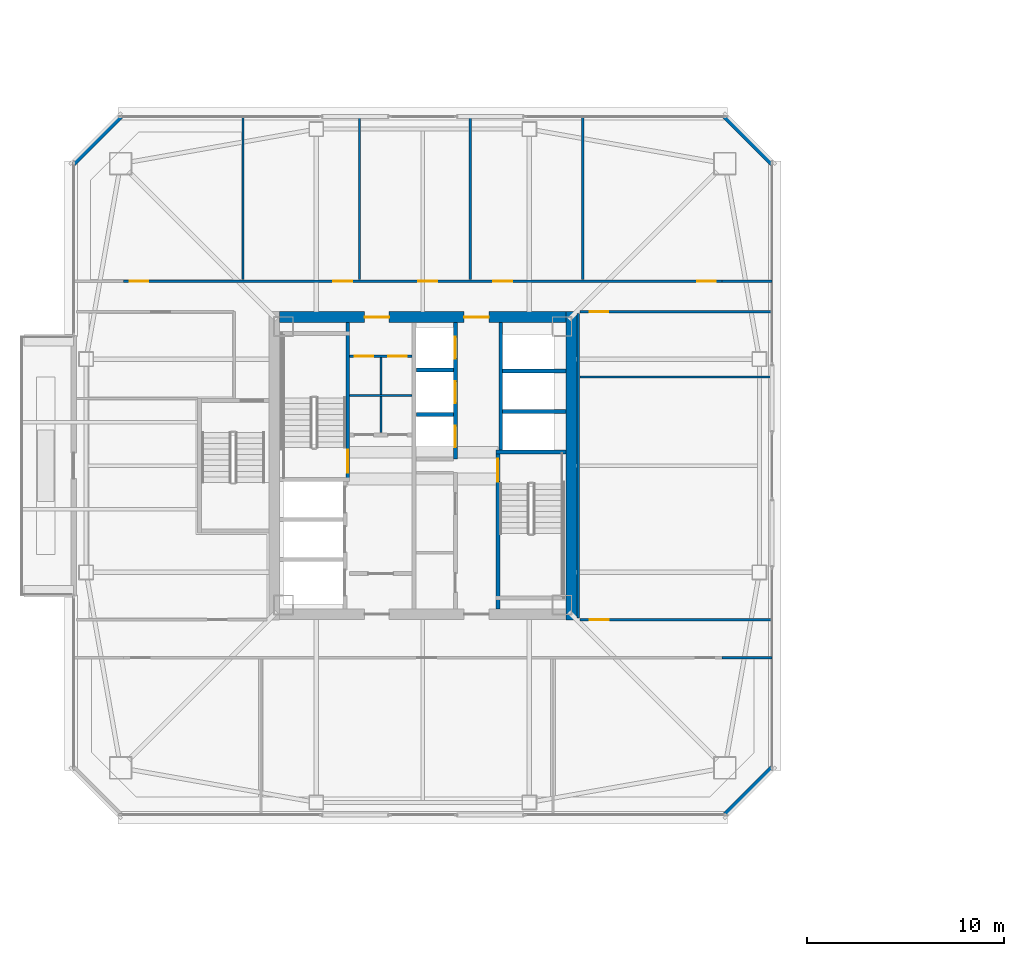
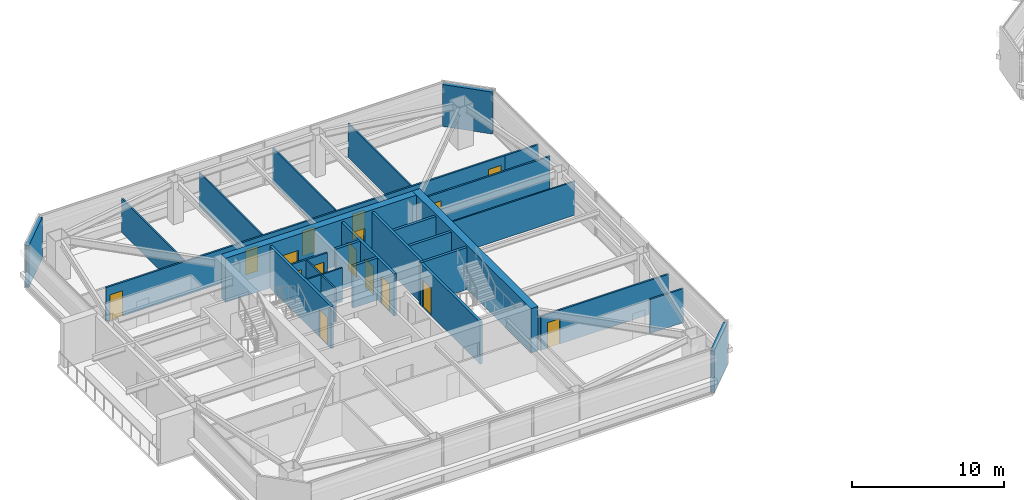
# One storey, part 33 of 43: 28 walls, 16 doors, 16 openings.
"""IFC4 building model written with IfcOpenShell, lengths in metres."""

from ifc_helpers import new_model, si_unit, direction, frame, frame_2d, origin, place, context, subcontext, project, spatial, rectangle, extrude, material, layer, layer_set, type_object, element, fill, save


model = new_model("IFC4")

# Units and contexts
model_context = context("Model", 3, precision=1e-05, world=origin(), true_north=direction((0.0, 1.0)))
body_context = subcontext(model_context, "Body", "Model", "MODEL_VIEW")
ifc_project = project(units=[si_unit("LENGTHUNIT", "METRE"), si_unit("AREAUNIT", "SQUARE_METRE"), si_unit("VOLUMEUNIT", "CUBIC_METRE"), si_unit("PLANEANGLEUNIT", "RADIAN"), si_unit("MASSUNIT", "GRAM", prefix="KILO")], contexts=[model_context])

# Site, building, storey
site_placement = place(None, origin())
site = spatial("IfcSite", under=ifc_project, at=site_placement, CompositionType="ELEMENT")
building_placement = place(site_placement, origin())
building = spatial("IfcBuilding", under=site, at=building_placement, Name="Tashvorn Skyway Center", CompositionType="ELEMENT")
storey_placement = place(building_placement, frame((0.0, 0.0, 188.949951171875)))
storey = spatial("IfcBuildingStorey", under=building, at=storey_placement, Name="L51", CompositionType="ELEMENT", Elevation=188.949951171875)

# Wall
ifc_material_1 = material(Name="Concrete C60/75", Category="concrete")
ifc_layer_1 = layer(ifc_material_1, 0.550048828125)
ifc_layer_set_1 = layer_set([ifc_layer_1], Name="Concrete C60/75")
wall_type_1 = type_object("IfcWallType", Name="WALL-CORE-550", PredefinedType="SHEAR", material=ifc_layer_set_1)
wall_1_placement = place(storey_placement, frame((49.52490234375, 39.800048828125, 0.0), z_axis=(0.0, 0.0, 1.0), x_axis=(0.0, -1.0, 0.0)))
element("IfcWall", 1, at=wall_1_placement, inside=storey, type_object=wall_type_1, Name="Tower 1 L51 East Core Shear Wall", PredefinedType="SHEAR", context=body_context, shape_type="SweptSolid", body=[
    extrude(rectangle(XDim=15.60009765625, YDim=0.550048828125, at=frame_2d((7.800048828125, 0.0))), origin(), (0.0, 0.0, 1.0), 3.550048828125),
])

# Wall, openings, doors
wall_2_placement = place(storey_placement, frame((34.75, 39.52490234375, 0.0), z_axis=(0.0, 0.0, 1.0), x_axis=(1.0, 0.0, 0.0)))
wall_2 = element("IfcWall", 2, at=wall_2_placement, inside=storey, type_object=wall_type_1, Name="Tower 1 L51 North Core Shear Wall", PredefinedType="SHEAR", context=body_context, shape_type="SweptSolid", body=[
    extrude(rectangle(XDim=14.5, YDim=0.550048828125, at=frame_2d((7.25, 0.0))), origin(), (0.0, 0.0, 1.0), 3.550048828125),
])
opening_1_placement = place(wall_2_placement, frame((4.300048828125, 0.0, 0.0)))
opening_1 = element("IfcOpeningElement", 3, at=opening_1_placement, cuts=wall_2, Name="Opening D-FFL-1250", PredefinedType="OPENING", context=body_context, shape_type="SweptSolid", body=[
    extrude(rectangle(XDim=1.25, YDim=2.25, at=frame_2d((0.625, 1.125))), frame((0.0, 0.284912109375, 0.0), z_axis=(0.0, -1.0, 0.0), x_axis=(1.0, 0.0, 0.0)), (0.0, 0.0, 1.0), 0.570068359375),
])
opening_2_placement = place(wall_2_placement, frame((9.35009765625, 0.0, 0.0)))
opening_2 = element("IfcOpeningElement", 4, at=opening_2_placement, cuts=wall_2, Name="Opening D-FFL-1250", PredefinedType="OPENING", context=body_context, shape_type="SweptSolid", body=[
    extrude(rectangle(XDim=1.25, YDim=2.25, at=frame_2d((0.625, 1.125))), frame((0.0, 0.284912109375, 0.0), z_axis=(0.0, -1.0, 0.0), x_axis=(1.0, 0.0, 0.0)), (0.0, 0.0, 1.0), 0.570068359375),
])
ifc_material_2 = material(Name="Hollow galvanized steel fire door assembly", Category="steel")
door_type_1 = type_object("IfcDoorType", Name="DOOR-FFL-1250", OperationType="NOTDEFINED", PredefinedType="DOOR", material=ifc_material_2)
door_1_placement = place(opening_1_placement, origin())
door_1 = element("IfcDoor", 5, at=door_1_placement, inside=storey, type_object=door_type_1, Name="Tower 1 L51 Core North Service Lobby Door", OperationType="SINGLE_SWING_LEFT", OverallHeight=2.25, OverallWidth=1.25, PredefinedType="DOOR", context=body_context, shape_type="SweptSolid", body=[
    extrude(rectangle(XDim=1.25, YDim=2.25, at=frame_2d((0.625, 1.125))), frame((0.0, 0.02490234375, 0.0), z_axis=(0.0, -1.0, 0.0), x_axis=(1.0, 0.0, 0.0)), (0.0, 0.0, 1.0), 0.050048828125),
])
fill(opening_1, door_1)
door_2_placement = place(opening_2_placement, origin())
door_2 = element("IfcDoor", 6, at=door_2_placement, inside=storey, type_object=door_type_1, Name="Tower 1 L51 Core North Lift Lobby Door", OperationType="SINGLE_SWING_RIGHT", OverallHeight=2.25, OverallWidth=1.25, PredefinedType="DOOR", context=body_context, shape_type="SweptSolid", body=[
    extrude(rectangle(XDim=1.25, YDim=2.25, at=frame_2d((0.625, 1.125))), frame((0.0, 0.02490234375, 0.0), z_axis=(0.0, -1.0, 0.0), x_axis=(1.0, 0.0, 0.0)), (0.0, 0.0, 1.0), 0.050048828125),
])
fill(opening_2, door_2)

# Walls
ifc_material_3 = material(Name="Precast concrete C40/50", Category="concrete")
ifc_layer_2 = layer(ifc_material_3, 0.280029296875)
ifc_layer_set_2 = layer_set([ifc_layer_2], Name="Precast concrete C40/50")
wall_type_2 = type_object("IfcWallType", Name="WALL-EXT-280", PredefinedType="SOLIDWALL", material=ifc_layer_set_2)
for number, where, z_axis, x_axis, name in (
    (7, (24.300048828125, 47.300048828125, 0.0), (0.0, 0.0, 1.0), (0.707106781187, 0.707106781187, 0.0), "Tower 1 L51 NW Precast Chamfer Wall"),
    (8, (57.300048828125, 49.699951171875, 0.0), (0.0, 0.0, 1.0), (0.707106781187, -0.707106781187, 0.0), "Tower 1 L51 NE Precast Chamfer Wall"),
    (9, (59.699951171875, 16.699951171875, 0.0), (0.0, 0.0, 1.0), (-0.707106781187, -0.707106781187, 0.0), "Tower 1 L51 SE Precast Chamfer Wall"),
):
    element("IfcWall", number, at=place(storey_placement, frame(where, z_axis=z_axis, x_axis=x_axis)), inside=storey, type_object=wall_type_2, Name=name, PredefinedType="SOLIDWALL", context=body_context, shape_type="SweptSolid", body=[
        extrude(rectangle(XDim=3.39404296875, YDim=0.280029296875, at=frame_2d((1.697021484375, 0.0))), origin(), (0.0, 0.0, 1.0), 3.3701171875),
    ])
ifc_material_4 = material(Name="Gypsum board on cold-formed steel stud framing", Category="steel")
ifc_layer_3 = layer(ifc_material_4, 0.110107421875)
ifc_layer_set_3 = layer_set([ifc_layer_3], Name="Gypsum board on cold-formed steel stud framing")
wall_type_3 = type_object("IfcWallType", Name="WALL-PART-110", PredefinedType="PARTITIONING", material=ifc_layer_set_3)
for number, where, z_axis, x_axis, name in (
    (10, (32.89990234375, 41.429931640625, 0.0), (0.0, 0.0, 1.0), (0.0, 1.0, 0.0), "Tower 1 L51 North Suite Partition 1"),
    (11, (38.800048828125, 41.429931640625, 0.0), (0.0, 0.0, 1.0), (0.0, 1.0, 0.0), "Tower 1 L51 North Suite Partition 2"),
    (12, (44.39990234375, 41.429931640625, 0.0), (0.0, 0.0, 1.0), (0.0, 1.0, 0.0), "Tower 1 L51 North Suite Partition 3"),
    (13, (50.10009765625, 41.429931640625, 0.0), (0.0, 0.0, 1.0), (0.0, 1.0, 0.0), "Tower 1 L51 North Suite Partition 4"),
):
    element("IfcWall", number, at=place(storey_placement, frame(where, z_axis=z_axis, x_axis=x_axis)), inside=storey, type_object=wall_type_3, Name=name, PredefinedType="PARTITIONING", context=body_context, shape_type="SweptSolid", body=[
        extrude(rectangle(XDim=8.25, YDim=0.110107421875, at=frame_2d((4.125, 0.0))), origin(), (0.0, 0.0, 1.0), 2.72314453125),
    ])
wall_3_placement = place(storey_placement, frame((49.9599609375, 36.5, 0.0), z_axis=(0.0, 0.0, 1.0), x_axis=(1.0, 0.0, 0.0)))
element("IfcWall", 14, at=wall_3_placement, inside=storey, type_object=wall_type_3, Name="Tower 1 L51 East Mid Partition", PredefinedType="PARTITIONING", context=body_context, shape_type="SweptSolid", body=[
    extrude(rectangle(XDim=9.719970703125, YDim=0.110107421875, at=frame_2d((4.85986328125, 0.0))), origin(), (0.0, 0.0, 1.0), 2.72314453125),
])

# Wall, openings, doors
ifc_layer_4 = layer(ifc_material_4, 0.135009765625)
ifc_layer_set_4 = layer_set([ifc_layer_4], Name="Gypsum board on cold-formed steel stud framing")
wall_type_4 = type_object("IfcWallType", Name="WALL-PART-135", PredefinedType="PARTITIONING", material=ifc_layer_set_4)
wall_4_placement = place(storey_placement, frame((26.85009765625, 41.35009765625, 0.0), z_axis=(0.0, 0.0, 1.0), x_axis=(1.0, 0.0, 0.0)))
wall_4 = element("IfcWall", 15, at=wall_4_placement, inside=storey, type_object=wall_type_4, Name="Tower 1 L51 North Suite Wall", PredefinedType="PARTITIONING", context=body_context, shape_type="SweptSolid", body=[
    extrude(rectangle(XDim=30.2998046875, YDim=0.135009765625, at=frame_2d((15.14990234375, 0.0))), origin(), (0.0, 0.0, 1.0), 2.72314453125),
])
opening_3_placement = place(wall_4_placement, frame((0.300048828125, 0.0, 0.0)))
opening_3 = element("IfcOpeningElement", 16, at=opening_3_placement, cuts=wall_4, Name="Opening D-INT-950", PredefinedType="OPENING", context=body_context, shape_type="SweptSolid", body=[
    extrude(rectangle(XDim=0.949951171875, YDim=2.050048828125, at=frame_2d((0.47509765625, 1.02490234375))), frame((0.0, 0.077392578125, 0.0), z_axis=(0.0, -1.0, 0.0), x_axis=(1.0, 0.0, 0.0)), (0.0, 0.0, 1.0), 0.155029296875),
])
opening_4_placement = place(wall_4_placement, frame((10.6201171875, 0.0, 0.0)))
opening_4 = element("IfcOpeningElement", 17, at=opening_4_placement, cuts=wall_4, Name="Opening D-INT-950", PredefinedType="OPENING", context=body_context, shape_type="SweptSolid", body=[
    extrude(rectangle(XDim=0.949951171875, YDim=2.050048828125, at=frame_2d((0.47509765625, 1.02490234375))), frame((0.0, 0.077392578125, 0.0), z_axis=(0.0, -1.0, 0.0), x_axis=(1.0, 0.0, 0.0)), (0.0, 0.0, 1.0), 0.155029296875),
])
opening_5_placement = place(wall_4_placement, frame((14.92333984375, 0.0, 0.0)))
opening_5 = element("IfcOpeningElement", 18, at=opening_5_placement, cuts=wall_4, Name="Opening D-INT-950", PredefinedType="OPENING", context=body_context, shape_type="SweptSolid", body=[
    extrude(rectangle(XDim=0.949951171875, YDim=2.050048828125, at=frame_2d((0.47509765625, 1.02490234375))), frame((0.0, 0.077392578125, 0.0), z_axis=(0.0, -1.0, 0.0), x_axis=(1.0, 0.0, 0.0)), (0.0, 0.0, 1.0), 0.155029296875),
])
opening_6_placement = place(wall_4_placement, frame((18.72802734375, 0.0, 0.0)))
opening_6 = element("IfcOpeningElement", 19, at=opening_6_placement, cuts=wall_4, Name="Opening D-INT-950", PredefinedType="OPENING", context=body_context, shape_type="SweptSolid", body=[
    extrude(rectangle(XDim=0.949951171875, YDim=2.050048828125, at=frame_2d((0.47509765625, 1.02490234375))), frame((0.0, 0.077392578125, 0.0), z_axis=(0.0, -1.0, 0.0), x_axis=(1.0, 0.0, 0.0)), (0.0, 0.0, 1.0), 0.155029296875),
])
opening_7_placement = place(wall_4_placement, frame((29.050048828125, 0.0, 0.0)))
opening_7 = element("IfcOpeningElement", 20, at=opening_7_placement, cuts=wall_4, Name="Opening D-INT-950", PredefinedType="OPENING", context=body_context, shape_type="SweptSolid", body=[
    extrude(rectangle(XDim=0.949951171875, YDim=2.050048828125, at=frame_2d((0.47509765625, 1.02490234375))), frame((0.0, 0.077392578125, 0.0), z_axis=(0.0, -1.0, 0.0), x_axis=(1.0, 0.0, 0.0)), (0.0, 0.0, 1.0), 0.155029296875),
])
ifc_material_5 = material(Name="Solid-core architectural oak veneer door")
door_type_2 = type_object("IfcDoorType", Name="DOOR-INT-950", OperationType="NOTDEFINED", PredefinedType="DOOR", material=ifc_material_5)
door_3_placement = place(opening_3_placement, origin())
door_3 = element("IfcDoor", 21, at=door_3_placement, inside=storey, type_object=door_type_2, Name="Tower 1 L51 Research Library Door", OperationType="SINGLE_SWING_RIGHT", OverallHeight=2.050048828125, OverallWidth=0.949951171875, PredefinedType="DOOR", context=body_context, shape_type="SweptSolid", body=[
    extrude(rectangle(XDim=0.949951171875, YDim=2.050048828125, at=frame_2d((0.47509765625, 1.02490234375))), frame((0.0, 0.02490234375, 0.0), z_axis=(0.0, -1.0, 0.0), x_axis=(1.0, 0.0, 0.0)), (0.0, 0.0, 1.0), 0.050048828125),
])
fill(opening_3, door_3)
door_4_placement = place(opening_4_placement, origin())
door_4 = element("IfcDoor", 22, at=door_4_placement, inside=storey, type_object=door_type_2, Name="Tower 1 L51 Research Library Door", OperationType="SINGLE_SWING_LEFT", OverallHeight=2.050048828125, OverallWidth=0.949951171875, PredefinedType="DOOR", context=body_context, shape_type="SweptSolid", body=[
    extrude(rectangle(XDim=0.949951171875, YDim=2.050048828125, at=frame_2d((0.47509765625, 1.02490234375))), frame((0.0, 0.02490234375, 0.0), z_axis=(0.0, -1.0, 0.0), x_axis=(1.0, 0.0, 0.0)), (0.0, 0.0, 1.0), 0.050048828125),
])
fill(opening_4, door_4)
door_5_placement = place(opening_5_placement, origin())
door_5 = element("IfcDoor", 23, at=door_5_placement, inside=storey, type_object=door_type_2, Name="Tower 1 L51 Collaborative Studio Door", OperationType="SINGLE_SWING_RIGHT", OverallHeight=2.050048828125, OverallWidth=0.949951171875, PredefinedType="DOOR", context=body_context, shape_type="SweptSolid", body=[
    extrude(rectangle(XDim=0.949951171875, YDim=2.050048828125, at=frame_2d((0.47509765625, 1.02490234375))), frame((0.0, 0.02490234375, 0.0), z_axis=(0.0, -1.0, 0.0), x_axis=(1.0, 0.0, 0.0)), (0.0, 0.0, 1.0), 0.050048828125),
])
fill(opening_5, door_5)
door_6_placement = place(opening_6_placement, origin())
door_6 = element("IfcDoor", 24, at=door_6_placement, inside=storey, type_object=door_type_2, Name="Tower 1 L51 Research Library Door", OperationType="SINGLE_SWING_LEFT", OverallHeight=2.050048828125, OverallWidth=0.949951171875, PredefinedType="DOOR", context=body_context, shape_type="SweptSolid", body=[
    extrude(rectangle(XDim=0.949951171875, YDim=2.050048828125, at=frame_2d((0.47509765625, 1.02490234375))), frame((0.0, 0.02490234375, 0.0), z_axis=(0.0, -1.0, 0.0), x_axis=(1.0, 0.0, 0.0)), (0.0, 0.0, 1.0), 0.050048828125),
])
fill(opening_6, door_6)
door_7_placement = place(opening_7_placement, origin())
door_7 = element("IfcDoor", 25, at=door_7_placement, inside=storey, type_object=door_type_2, Name="Tower 1 L51 Research Library Door", OperationType="SINGLE_SWING_RIGHT", OverallHeight=2.050048828125, OverallWidth=0.949951171875, PredefinedType="DOOR", context=body_context, shape_type="SweptSolid", body=[
    extrude(rectangle(XDim=0.949951171875, YDim=2.050048828125, at=frame_2d((0.47509765625, 1.02490234375))), frame((0.0, 0.02490234375, 0.0), z_axis=(0.0, -1.0, 0.0), x_axis=(1.0, 0.0, 0.0)), (0.0, 0.0, 1.0), 0.050048828125),
])
fill(opening_7, door_7)

# Walls
for number, where, z_axis, x_axis, name in (
    (26, (57.14990234375, 41.35009765625, 0.0), (0.0, 0.0, 1.0), (1.0, 0.0, 0.0), "Tower 1 L51 North-East Suite South Wall"),
    (27, (57.14990234375, 22.280029296875, 0.0), (0.0, 0.0, 1.0), (1.0, 0.0, 0.0), "Tower 1 L51 South-East Suite North Wall"),
):
    element("IfcWall", number, at=place(storey_placement, frame(where, z_axis=z_axis, x_axis=x_axis)), inside=storey, type_object=wall_type_4, Name=name, PredefinedType="PARTITIONING", context=body_context, shape_type="SweptSolid", body=[
        extrude(rectangle(XDim=2.530029296875, YDim=0.135009765625, at=frame_2d((1.26513671875, 0.0))), origin(), (0.0, 0.0, 1.0), 2.72314453125),
    ])
wall_5_placement = place(storey_placement, frame((49.8798828125, 39.719970703125, 0.0), z_axis=(0.0, 0.0, 1.0), x_axis=(0.0, -1.0, 0.0)))
element("IfcWall", 28, at=wall_5_placement, inside=storey, type_object=wall_type_4, Name="Tower 1 L51 East Inner Suite Wall", PredefinedType="PARTITIONING", context=body_context, shape_type="SweptSolid", body=[
    extrude(rectangle(XDim=15.43994140625, YDim=0.135009765625, at=frame_2d((7.719970703125, 0.0))), origin(), (0.0, 0.0, 1.0), 2.72314453125),
])

# Wall, opening, door
wall_6_placement = place(storey_placement, frame((59.679931640625, 39.800048828125, 0.0), z_axis=(0.0, 0.0, 1.0), x_axis=(-1.0, 0.0, 0.0)))
wall_6 = element("IfcWall", 29, at=wall_6_placement, inside=storey, type_object=wall_type_4, Name="Tower 1 L51 East Suite North Wall", PredefinedType="PARTITIONING", context=body_context, shape_type="SweptSolid", body=[
    extrude(rectangle(XDim=9.719970703125, YDim=0.135009765625, at=frame_2d((4.85986328125, 0.0))), origin(), (0.0, 0.0, 1.0), 2.72314453125),
])
opening_8_placement = place(wall_6_placement, frame((8.280029296875, 0.0, 0.0)))
opening_8 = element("IfcOpeningElement", 30, at=opening_8_placement, cuts=wall_6, Name="Opening D-INT-950", PredefinedType="OPENING", context=body_context, shape_type="SweptSolid", body=[
    extrude(rectangle(XDim=0.949951171875, YDim=2.050048828125, at=frame_2d((0.47509765625, 1.02490234375))), frame((0.0, 0.077392578125, 0.0), z_axis=(0.0, -1.0, 0.0), x_axis=(1.0, 0.0, 0.0)), (0.0, 0.0, 1.0), 0.155029296875),
])
door_8_placement = place(opening_8_placement, origin())
door_8 = element("IfcDoor", 31, at=door_8_placement, inside=storey, type_object=door_type_2, Name="Tower 1 L51 Research Library Door", OperationType="SINGLE_SWING_RIGHT", OverallHeight=2.050048828125, OverallWidth=0.949951171875, PredefinedType="DOOR", context=body_context, shape_type="SweptSolid", body=[
    extrude(rectangle(XDim=0.949951171875, YDim=2.050048828125, at=frame_2d((0.47509765625, 1.02490234375))), frame((0.0, 0.02490234375, 0.0), z_axis=(0.0, -1.0, 0.0), x_axis=(1.0, 0.0, 0.0)), (0.0, 0.0, 1.0), 0.050048828125),
])
fill(opening_8, door_8)

wall_7_placement = place(storey_placement, frame((49.9599609375, 24.199951171875, 0.0), z_axis=(0.0, 0.0, 1.0), x_axis=(1.0, 0.0, 0.0)))
wall_7 = element("IfcWall", 32, at=wall_7_placement, inside=storey, type_object=wall_type_4, Name="Tower 1 L51 East Suite South Wall", PredefinedType="PARTITIONING", context=body_context, shape_type="SweptSolid", body=[
    extrude(rectangle(XDim=9.719970703125, YDim=0.135009765625, at=frame_2d((4.85986328125, 0.0))), origin(), (0.0, 0.0, 1.0), 2.72314453125),
])
opening_9_placement = place(wall_7_placement, frame((0.5, 0.0, 0.0)))
opening_9 = element("IfcOpeningElement", 33, at=opening_9_placement, cuts=wall_7, Name="Opening D-INT-950", PredefinedType="OPENING", context=body_context, shape_type="SweptSolid", body=[
    extrude(rectangle(XDim=0.949951171875, YDim=2.050048828125, at=frame_2d((0.47509765625, 1.02490234375))), frame((0.0, 0.077392578125, 0.0), z_axis=(0.0, -1.0, 0.0), x_axis=(1.0, 0.0, 0.0)), (0.0, 0.0, 1.0), 0.155029296875),
])
door_9_placement = place(opening_9_placement, origin())
door_9 = element("IfcDoor", 34, at=door_9_placement, inside=storey, type_object=door_type_2, Name="Tower 1 L51 Public Restroom Door", OperationType="SINGLE_SWING_LEFT", OverallHeight=2.050048828125, OverallWidth=0.949951171875, PredefinedType="DOOR", context=body_context, shape_type="SweptSolid", body=[
    extrude(rectangle(XDim=0.949951171875, YDim=2.050048828125, at=frame_2d((0.47509765625, 1.02490234375))), frame((0.0, 0.02490234375, 0.0), z_axis=(0.0, -1.0, 0.0), x_axis=(1.0, 0.0, 0.0)), (0.0, 0.0, 1.0), 0.050048828125),
])
fill(opening_9, door_9)

# Walls
ifc_layer_5 = layer(ifc_material_4, 0.110107421875)
ifc_layer_set_5 = layer_set([ifc_layer_5], Name="Gypsum board on cold-formed steel stud framing")
wall_type_5 = type_object("IfcWallType", Name="WALL-RATED-110", PredefinedType="PARTITIONING", material=ifc_layer_set_5)
wall_8_placement = place(storey_placement, frame((39.8798828125, 33.679931640625, 0.0), z_axis=(0.0, 0.0, 1.0), x_axis=(0.0, 1.0, 0.0)))
element("IfcWall", 35, at=wall_8_placement, inside=storey, type_object=wall_type_5, Name="Tower 1 L51 Core Cross Vertical", PredefinedType="PARTITIONING", context=body_context, shape_type="SweptSolid", body=[
    extrude(rectangle(XDim=3.800048828125, YDim=0.110107421875, at=frame_2d((1.89990234375, 0.0))), origin(), (0.0, 0.0, 1.0), 2.72314453125),
])
wall_9_placement = place(storey_placement, frame((38.300048828125, 35.550048828125, 0.0), z_axis=(0.0, 0.0, 1.0), x_axis=(1.0, 0.0, 0.0)))
element("IfcWall", 36, at=wall_9_placement, inside=storey, type_object=wall_type_5, Name="Tower 1 L51 Core Cross Horizontal", PredefinedType="PARTITIONING", context=body_context, shape_type="SweptSolid", body=[
    extrude(rectangle(XDim=3.14990234375, YDim=0.110107421875, at=frame_2d((1.574951171875, 0.0))), origin(), (0.0, 0.0, 1.0), 2.72314453125),
])

# Wall, openings, doors
ifc_layer_6 = layer(ifc_material_4, 0.135009765625)
ifc_layer_set_6 = layer_set([ifc_layer_6], Name="Gypsum board on cold-formed steel stud framing")
wall_type_6 = type_object("IfcWallType", Name="WALL-RATED-135", PredefinedType="PARTITIONING", material=ifc_layer_set_6)
wall_10_placement = place(storey_placement, frame((38.300048828125, 37.550048828125, 0.0), z_axis=(0.0, 0.0, 1.0), x_axis=(1.0, 0.0, 0.0)))
wall_10 = element("IfcWall", 37, at=wall_10_placement, inside=storey, type_object=wall_type_6, Name="Tower 1 L51 Core Service Lobby Wall", PredefinedType="PARTITIONING", context=body_context, shape_type="SweptSolid", body=[
    extrude(rectangle(XDim=3.14990234375, YDim=0.135009765625, at=frame_2d((1.574951171875, 0.0))), origin(), (0.0, 0.0, 1.0), 2.72314453125),
])
opening_10_placement = place(wall_10_placement, frame((0.25, 0.0, 0.0)))
opening_10 = element("IfcOpeningElement", 38, at=opening_10_placement, cuts=wall_10, Name="Opening D-RT-950", PredefinedType="OPENING", context=body_context, shape_type="SweptSolid", body=[
    extrude(rectangle(XDim=0.949951171875, YDim=2.050048828125, at=frame_2d((0.47509765625, 1.02490234375))), frame((0.0, 0.077392578125, 0.0), z_axis=(0.0, -1.0, 0.0), x_axis=(1.0, 0.0, 0.0)), (0.0, 0.0, 1.0), 0.155029296875),
])
opening_11_placement = place(wall_10_placement, frame((1.949951171875, 0.0, 0.0)))
opening_11 = element("IfcOpeningElement", 39, at=opening_11_placement, cuts=wall_10, Name="Opening D-RT-950", PredefinedType="OPENING", context=body_context, shape_type="SweptSolid", body=[
    extrude(rectangle(XDim=0.949951171875, YDim=2.050048828125, at=frame_2d((0.47509765625, 1.02490234375))), frame((0.0, 0.077392578125, 0.0), z_axis=(0.0, -1.0, 0.0), x_axis=(1.0, 0.0, 0.0)), (0.0, 0.0, 1.0), 0.155029296875),
])
door_type_3 = type_object("IfcDoorType", Name="DOOR-RATED-950", OperationType="NOTDEFINED", PredefinedType="DOOR", material=ifc_material_2)
door_10_placement = place(opening_10_placement, origin())
door_10 = element("IfcDoor", 40, at=door_10_placement, inside=storey, type_object=door_type_3, Name="Tower 1 L51 Core Cleaner Store Door", OperationType="SINGLE_SWING_LEFT", OverallHeight=2.050048828125, OverallWidth=0.949951171875, PredefinedType="DOOR", context=body_context, shape_type="SweptSolid", body=[
    extrude(rectangle(XDim=0.949951171875, YDim=2.050048828125, at=frame_2d((0.47509765625, 1.02490234375))), frame((0.0, 0.02490234375, 0.0), z_axis=(0.0, -1.0, 0.0), x_axis=(1.0, 0.0, 0.0)), (0.0, 0.0, 1.0), 0.050048828125),
])
fill(opening_10, door_10)
door_11_placement = place(opening_11_placement, origin())
door_11 = element("IfcDoor", 41, at=door_11_placement, inside=storey, type_object=door_type_3, Name="Tower 1 L51 Core Accessible WC Door", OperationType="SINGLE_SWING_RIGHT", OverallHeight=2.050048828125, OverallWidth=0.949951171875, PredefinedType="DOOR", context=body_context, shape_type="SweptSolid", body=[
    extrude(rectangle(XDim=0.949951171875, YDim=2.050048828125, at=frame_2d((0.47509765625, 1.02490234375))), frame((0.0, 0.02490234375, 0.0), z_axis=(0.0, -1.0, 0.0), x_axis=(1.0, 0.0, 0.0)), (0.0, 0.0, 1.0), 0.050048828125),
])
fill(opening_11, door_11)

# Walls
ifc_material_6 = material(Name="Concrete C40/50", Category="concrete")
ifc_layer_7 = layer(ifc_material_6, 0.199951171875)
ifc_layer_set_7 = layer_set([ifc_layer_7], Name="Concrete C40/50")
wall_type_7 = type_object("IfcWallType", Name="WALL-SHAFT-200", PredefinedType="SOLIDWALL", material=ifc_layer_set_7)
for number, where, z_axis, x_axis, name in (
    (42, (46.050048828125, 34.75, 0.0), (0.0, 0.0, 1.0), (1.0, 0.0, 0.0), "Tower 1 L51 High-Rise Shaft Divider"),
    (43, (46.050048828125, 36.800048828125, 0.0), (0.0, 0.0, 1.0), (1.0, 0.0, 0.0), "Tower 1 L51 High-Rise Shaft Divider"),
):
    element("IfcWall", number, at=place(storey_placement, frame(where, z_axis=z_axis, x_axis=x_axis)), inside=storey, type_object=wall_type_7, Name=name, PredefinedType="SOLIDWALL", context=body_context, shape_type="SweptSolid", body=[
        extrude(rectangle(XDim=3.199951171875, YDim=0.199951171875, at=frame_2d((1.60009765625, 0.0))), origin(), (0.0, 0.0, 1.0), 3.3701171875),
    ])

# Wall, openings, doors
wall_11_placement = place(storey_placement, frame((43.64990234375, 32.35009765625, 0.0), z_axis=(0.0, 0.0, 1.0), x_axis=(0.0, 1.0, 0.0)))
wall_11 = element("IfcWall", 44, at=wall_11_placement, inside=storey, type_object=wall_type_7, Name="Tower 1 L51 Mid-Rise Core Wall", PredefinedType="SOLIDWALL", context=body_context, shape_type="SweptSolid", body=[
    extrude(rectangle(XDim=6.89990234375, YDim=0.199951171875, at=frame_2d((3.449951171875, 0.0))), origin(), (0.0, 0.0, 1.0), 3.3701171875),
])
opening_12_placement = place(wall_11_placement, frame((0.574951171875, 0.0, 0.0)))
opening_12 = element("IfcOpeningElement", 45, at=opening_12_placement, cuts=wall_11, Name="Opening LD-MR-T1-1-L51", PredefinedType="OPENING", context=body_context, shape_type="SweptSolid", body=[
    extrude(rectangle(XDim=1.10009765625, YDim=2.199951171875, at=frame_2d((0.550048828125, 1.10009765625))), frame((0.0, 0.10986328125, 0.0), z_axis=(0.0, -1.0, 0.0), x_axis=(1.0, 0.0, 0.0)), (0.0, 0.0, 1.0), 0.219970703125),
])
opening_13_placement = place(wall_11_placement, frame((2.824951171875, 0.0, 0.0)))
opening_13 = element("IfcOpeningElement", 46, at=opening_13_placement, cuts=wall_11, Name="Opening LD-MR-T1-2-L51", PredefinedType="OPENING", context=body_context, shape_type="SweptSolid", body=[
    extrude(rectangle(XDim=1.10009765625, YDim=2.199951171875, at=frame_2d((0.550048828125, 1.10009765625))), frame((0.0, 0.10986328125, 0.0), z_axis=(0.0, -1.0, 0.0), x_axis=(1.0, 0.0, 0.0)), (0.0, 0.0, 1.0), 0.219970703125),
])
opening_14_placement = place(wall_11_placement, frame((5.074951171875, 0.0, 0.0)))
opening_14 = element("IfcOpeningElement", 47, at=opening_14_placement, cuts=wall_11, Name="Opening LD-MR-T1-3-L51", PredefinedType="OPENING", context=body_context, shape_type="SweptSolid", body=[
    extrude(rectangle(XDim=1.10009765625, YDim=2.199951171875, at=frame_2d((0.550048828125, 1.10009765625))), frame((0.0, 0.10986328125, 0.0), z_axis=(0.0, -1.0, 0.0), x_axis=(1.0, 0.0, 0.0)), (0.0, 0.0, 1.0), 0.219970703125),
])
ifc_material_7 = material(Name="Stainless steel landing door", Category="steel")
door_type_4 = type_object("IfcDoorType", Name="DOOR-LIFT-1100", OperationType="SLIDING_TO_LEFT", PredefinedType="DOOR", material=ifc_material_7)
door_12_placement = place(opening_12_placement, origin())
door_12 = element("IfcDoor", 48, at=door_12_placement, inside=storey, type_object=door_type_4, Name="Lift MR-T1-1 L51 Landing Door", OperationType="SLIDING_TO_LEFT", OverallHeight=2.199951171875, OverallWidth=1.10009765625, PredefinedType="DOOR", context=body_context, shape_type="SweptSolid", body=[
    extrude(rectangle(XDim=1.10009765625, YDim=2.199951171875, at=frame_2d((0.550048828125, 1.10009765625))), frame((0.0, 0.02490234375, 0.0), z_axis=(0.0, -1.0, 0.0), x_axis=(1.0, 0.0, 0.0)), (0.0, 0.0, 1.0), 0.050048828125),
])
fill(opening_12, door_12)
door_13_placement = place(opening_13_placement, origin())
door_13 = element("IfcDoor", 49, at=door_13_placement, inside=storey, type_object=door_type_4, Name="Lift MR-T1-2 L51 Landing Door", OperationType="SLIDING_TO_LEFT", OverallHeight=2.199951171875, OverallWidth=1.10009765625, PredefinedType="DOOR", context=body_context, shape_type="SweptSolid", body=[
    extrude(rectangle(XDim=1.10009765625, YDim=2.199951171875, at=frame_2d((0.550048828125, 1.10009765625))), frame((0.0, 0.02490234375, 0.0), z_axis=(0.0, -1.0, 0.0), x_axis=(1.0, 0.0, 0.0)), (0.0, 0.0, 1.0), 0.050048828125),
])
fill(opening_13, door_13)
door_14_placement = place(opening_14_placement, origin())
door_14 = element("IfcDoor", 50, at=door_14_placement, inside=storey, type_object=door_type_4, Name="Lift MR-T1-3 L51 Landing Door", OperationType="SLIDING_TO_LEFT", OverallHeight=2.199951171875, OverallWidth=1.10009765625, PredefinedType="DOOR", context=body_context, shape_type="SweptSolid", body=[
    extrude(rectangle(XDim=1.10009765625, YDim=2.199951171875, at=frame_2d((0.550048828125, 1.10009765625))), frame((0.0, 0.02490234375, 0.0), z_axis=(0.0, -1.0, 0.0), x_axis=(1.0, 0.0, 0.0)), (0.0, 0.0, 1.0), 0.050048828125),
])
fill(opening_14, door_14)

# Walls
for number, where, z_axis, x_axis, name in (
    (51, (41.669921875, 34.60009765625, 0.0), (0.0, 0.0, 1.0), (1.0, 0.0, 0.0), "Tower 1 L51 Mid-Rise Shaft Divider"),
    (52, (41.669921875, 36.85009765625, 0.0), (0.0, 0.0, 1.0), (1.0, 0.0, 0.0), "Tower 1 L51 Mid-Rise Shaft Divider"),
):
    element("IfcWall", number, at=place(storey_placement, frame(where, z_axis=z_axis, x_axis=x_axis)), inside=storey, type_object=wall_type_7, Name=name, PredefinedType="SOLIDWALL", context=body_context, shape_type="SweptSolid", body=[
        extrude(rectangle(XDim=1.880126953125, YDim=0.199951171875, at=frame_2d((0.93994140625, 0.0))), origin(), (0.0, 0.0, 1.0), 3.3701171875),
    ])

# Wall, opening, door
ifc_layer_8 = layer(ifc_material_6, 0.199951171875)
ifc_layer_set_8 = layer_set([ifc_layer_8], Name="Concrete C40/50")
wall_type_8 = type_object("IfcWallType", Name="WALL-STSHF-200", PredefinedType="SHEAR", material=ifc_layer_set_8)
wall_12_placement = place(storey_placement, frame((38.199951171875, 31.199951171875, 0.0), z_axis=(0.0, 0.0, 1.0), x_axis=(0.0, 1.0, 0.0)))
wall_12 = element("IfcWall", 53, at=wall_12_placement, inside=storey, type_object=wall_type_8, Name="Tower 1 L51 Stair 1 Enclosure Wall", PredefinedType="SHEAR", context=body_context, shape_type="SweptSolid", body=[
    extrude(rectangle(XDim=8.050048828125, YDim=0.199951171875, at=frame_2d((4.02490234375, 0.0))), origin(), (0.0, 0.0, 1.0), 3.3701171875),
])
opening_15_placement = place(wall_12_placement, frame((0.449951171875, 0.0, 0.0)))
opening_15 = element("IfcOpeningElement", 54, at=opening_15_placement, cuts=wall_12, Name="Opening D-ST-1150", PredefinedType="OPENING", context=body_context, shape_type="SweptSolid", body=[
    extrude(rectangle(XDim=1.14990234375, YDim=2.199951171875, at=frame_2d((0.574951171875, 1.10009765625))), frame((0.0, 0.10986328125, 0.0), z_axis=(0.0, -1.0, 0.0), x_axis=(1.0, 0.0, 0.0)), (0.0, 0.0, 1.0), 0.219970703125),
])
door_type_5 = type_object("IfcDoorType", Name="DOOR-STAIR-1150", OperationType="NOTDEFINED", PredefinedType="DOOR", material=ifc_material_2)
door_15_placement = place(opening_15_placement, origin())
door_15 = element("IfcDoor", 55, at=door_15_placement, inside=storey, type_object=door_type_5, Name="Tower 1 L51 Exit Stair 1 Door", OperationType="SINGLE_SWING_RIGHT", OverallHeight=2.199951171875, OverallWidth=1.14990234375, PredefinedType="DOOR", context=body_context, shape_type="SweptSolid", body=[
    extrude(rectangle(XDim=1.14990234375, YDim=2.199951171875, at=frame_2d((0.574951171875, 1.10009765625))), frame((0.0, 0.02490234375, 0.0), z_axis=(0.0, -1.0, 0.0), x_axis=(1.0, 0.0, 0.0)), (0.0, 0.0, 1.0), 0.050048828125),
])
fill(opening_15, door_15)

wall_13_placement = place(storey_placement, frame((45.800048828125, 32.800048828125, 0.0), z_axis=(0.0, 0.0, 1.0), x_axis=(0.0, -1.0, 0.0)))
wall_13 = element("IfcWall", 56, at=wall_13_placement, inside=storey, type_object=wall_type_8, Name="Tower 1 L51 Stair 2 Enclosure Wall", PredefinedType="SHEAR", context=body_context, shape_type="SweptSolid", body=[
    extrude(rectangle(XDim=8.050048828125, YDim=0.199951171875, at=frame_2d((4.02490234375, 0.0))), origin(), (0.0, 0.0, 1.0), 3.3701171875),
])
opening_16_placement = place(wall_13_placement, frame((0.449951171875, 0.0, 0.0)))
opening_16 = element("IfcOpeningElement", 57, at=opening_16_placement, cuts=wall_13, Name="Opening D-ST-1150", PredefinedType="OPENING", context=body_context, shape_type="SweptSolid", body=[
    extrude(rectangle(XDim=1.14990234375, YDim=2.199951171875, at=frame_2d((0.574951171875, 1.10009765625))), frame((0.0, 0.10986328125, 0.0), z_axis=(0.0, -1.0, 0.0), x_axis=(1.0, 0.0, 0.0)), (0.0, 0.0, 1.0), 0.219970703125),
])
door_16_placement = place(opening_16_placement, origin())
door_16 = element("IfcDoor", 58, at=door_16_placement, inside=storey, type_object=door_type_5, Name="Tower 1 L51 Exit Stair 2 Door", OperationType="SINGLE_SWING_RIGHT", OverallHeight=2.199951171875, OverallWidth=1.14990234375, PredefinedType="DOOR", context=body_context, shape_type="SweptSolid", body=[
    extrude(rectangle(XDim=1.14990234375, YDim=2.199951171875, at=frame_2d((0.574951171875, 1.10009765625))), frame((0.0, 0.02490234375, 0.0), z_axis=(0.0, -1.0, 0.0), x_axis=(1.0, 0.0, 0.0)), (0.0, 0.0, 1.0), 0.050048828125),
])
fill(opening_16, door_16)

# Walls
wall_14_placement = place(storey_placement, frame((45.699951171875, 32.699951171875, 0.0), z_axis=(0.0, 0.0, 1.0), x_axis=(1.0, 0.0, 0.0)))
element("IfcWall", 59, at=wall_14_placement, inside=storey, type_object=wall_type_8, Name="Tower 1 L51 Stair 2 North Wall", PredefinedType="SHEAR", context=body_context, shape_type="SweptSolid", body=[
    extrude(rectangle(XDim=3.550048828125, YDim=0.199951171875, at=frame_2d((1.77490234375, 0.0))), origin(), (0.0, 0.0, 1.0), 3.3701171875),
])
wall_15_placement = place(storey_placement, frame((45.949951171875, 39.25, 0.0), z_axis=(0.0, 0.0, 1.0), x_axis=(0.0, -1.0, 0.0)))
element("IfcWall", 60, at=wall_15_placement, inside=storey, type_object=wall_type_8, Name="Tower 1 L51 High-Rise Lift Shaft Front Wall", PredefinedType="SHEAR", context=body_context, shape_type="SweptSolid", body=[
    extrude(rectangle(XDim=6.449951171875, YDim=0.199951171875, at=frame_2d((3.22509765625, 0.0))), origin(), (0.0, 0.0, 1.0), 3.3701171875),
])

save(model, "model.ifc")
